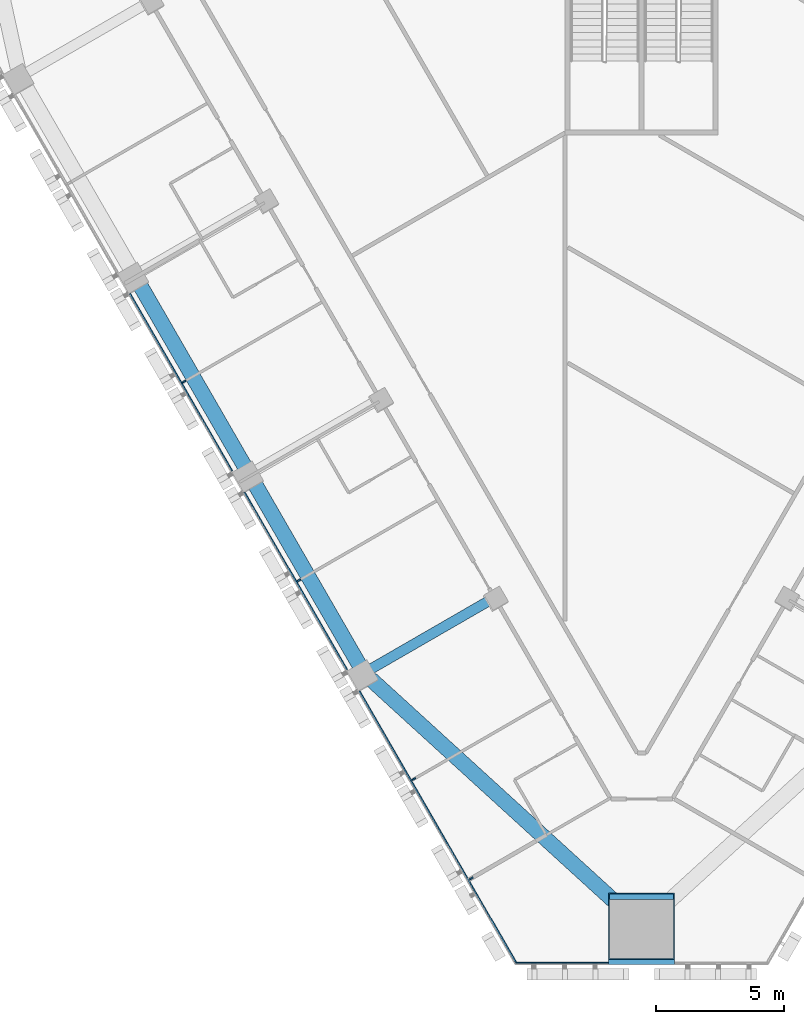
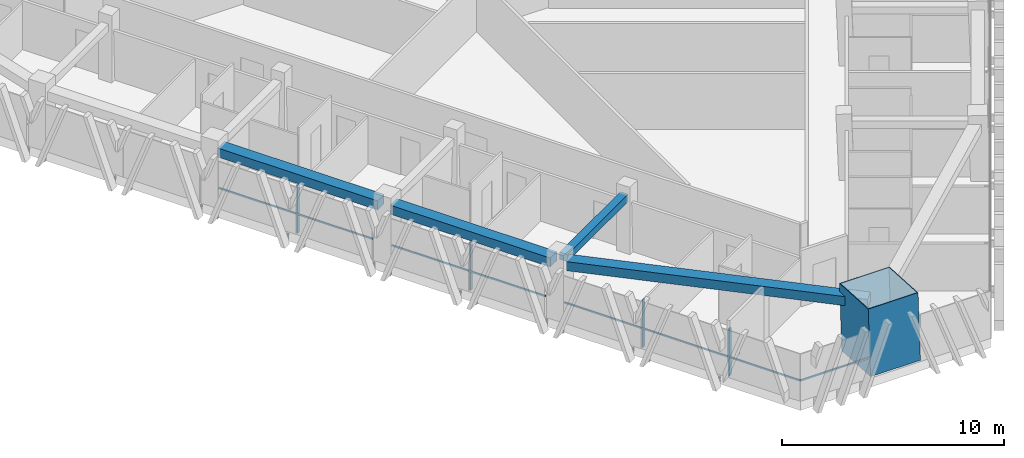
# One storey, part 2 of 17: 9 members, 4 beams, 2 elements without a shape of their own.
"""IFC4 building model written with IfcOpenShell, lengths in metres."""

from ifc_helpers import new_model, si_unit, direction, frame, origin, origin_2d, place, context, subcontext, project, spatial, rectangle, hollow_rectangle, extrude, material, layer, layer_set, material_profile, profile_set, type_object, element, aggregate, save


model = new_model("IFC4")

# Units and contexts
model_context = context("Model", 3, precision=1e-05, world=origin(), true_north=direction((0.0, 1.0)))
body_context = subcontext(model_context, "Body", "Model", "MODEL_VIEW")
ifc_project = project(units=[si_unit("LENGTHUNIT", "METRE"), si_unit("AREAUNIT", "SQUARE_METRE"), si_unit("VOLUMEUNIT", "CUBIC_METRE"), si_unit("PLANEANGLEUNIT", "RADIAN"), si_unit("MASSUNIT", "GRAM", prefix="KILO")], contexts=[model_context])

# Site, building, storey
site_placement = place(None, origin())
site = spatial("IfcSite", under=ifc_project, at=site_placement, CompositionType="ELEMENT")
building_placement = place(site_placement, origin())
building = spatial("IfcBuilding", under=site, at=building_placement, Name="Altiplano Prism Tower", CompositionType="ELEMENT")
storey_placement = place(building_placement, frame((0.0, 0.0, 30.60009765625)))
storey = spatial("IfcBuildingStorey", under=building, at=storey_placement, Name="L06", CompositionType="ELEMENT", Elevation=30.60009765625)

# Curtain wall, members
ifc_material_1 = material(Name="Aluminium and glass", Category="aluminium")
ifc_layer = layer(ifc_material_1, 0.280029296875)
ifc_layer_set = layer_set([ifc_layer], Name="Aluminium and glass")
curtain_wall_type = type_object("IfcCurtainWallType", Name="CW1 typical co-living unitised curtain wall", PredefinedType="NOTDEFINED", material=ifc_layer_set)
curtain_wall_1_placement = place(storey_placement, origin())
curtain_wall_1 = element("IfcCurtainWall", 1, at=curtain_wall_1_placement, inside=storey, type_object=curtain_wall_type, Name="CW1 curtain wall south-west face L06", PredefinedType="NOTDEFINED")
ifc_material_2 = material(Name="Aluminium", Category="aluminium")
ifc_material_profile_1 = material_profile(ifc_material_2, rectangle(XDim=0.179931640625, YDim=0.06494140625, at=origin_2d()), Name="CW1 mullion 65 x 180")
ifc_profile_set_1 = profile_set([ifc_material_profile_1], Name="Aluminium")
member_type_1 = type_object("IfcMemberType", Name="CW1 mullion 65 x 180", PredefinedType="MULLION", material=ifc_profile_set_1)
member_1_placement = place(storey_placement, frame((67.05810546875, 73.733642578125, 0.0), z_axis=(0.0, 0.0, 1.0), x_axis=(0.866025402886, 0.500000001557, 0.0)))
member_1 = element("IfcMember", 2, at=member_1_placement, type_object=member_type_1, Name="CW1 mullion", PredefinedType="MULLION", context=body_context, shape_type="SweptSolid", body=[
    extrude(rectangle(XDim=0.179931640625, YDim=0.06494140625, at=origin_2d()), origin(), (0.0, 0.0, 1.0), 2.599853515625),
])
member_2_placement = place(storey_placement, frame((71.55810546875, 65.939208984375, 0.0), z_axis=(0.0, 0.0, 1.0), x_axis=(0.866025402886, 0.500000001557, 0.0)))
member_2 = element("IfcMember", 3, at=member_2_placement, type_object=member_type_1, Name="CW1 mullion", PredefinedType="MULLION", context=body_context, shape_type="SweptSolid", body=[
    extrude(rectangle(XDim=0.179931640625, YDim=0.06494140625, at=origin_2d()), origin(), (0.0, 0.0, 1.0), 2.599853515625),
])
member_3_placement = place(storey_placement, frame((76.05810546875, 58.14501953125, 0.0), z_axis=(0.0, 0.0, 1.0), x_axis=(0.866025402886, 0.500000001557, 0.0)))
member_3 = element("IfcMember", 4, at=member_3_placement, type_object=member_type_1, Name="CW1 mullion", PredefinedType="MULLION", context=body_context, shape_type="SweptSolid", body=[
    extrude(rectangle(XDim=0.179931640625, YDim=0.06494140625, at=origin_2d()), origin(), (0.0, 0.0, 1.0), 2.599853515625),
])
member_4_placement = place(storey_placement, frame((78.30810546875, 54.248046875, 0.0), z_axis=(0.0, 0.0, 1.0), x_axis=(0.866025402886, 0.500000001557, 0.0)))
member_4 = element("IfcMember", 5, at=member_4_placement, type_object=member_type_1, Name="CW1 mullion", PredefinedType="MULLION", context=body_context, shape_type="SweptSolid", body=[
    extrude(rectangle(XDim=0.179931640625, YDim=0.06494140625, at=origin_2d()), origin(), (0.0, 0.0, 1.0), 2.599853515625),
])
ifc_material_profile_2 = material_profile(ifc_material_2, rectangle(XDim=0.06005859375, YDim=0.080078125, at=origin_2d()), Name="CW1 transom 80 x 60")
ifc_profile_set_2 = profile_set([ifc_material_profile_2], Name="Aluminium")
member_type_2 = type_object("IfcMemberType", Name="CW1 transom 80 x 60", PredefinedType="USERDEFINED", material=ifc_profile_set_2)
member_5_placement = place(storey_placement, frame((64.929443359375, 77.180419921875, 1.099853515625), z_axis=(0.499999136801, -0.866025902152, 0.0), x_axis=(0.866025902152, 0.499999136801, 0.0)))
member_5 = element("IfcMember", 6, at=member_5_placement, type_object=member_type_2, Name="CW1 transom", ObjectType="TRANSOM", PredefinedType="USERDEFINED", context=body_context, shape_type="SweptSolid", body=[
    extrude(rectangle(XDim=0.06005859375, YDim=0.080078125, at=origin_2d()), origin(), (0.0, 0.0, 1.0), 8.02001953125),
])
member_6_placement = place(storey_placement, frame((69.429443359375, 69.38623046875, 1.099853515625), z_axis=(0.499999136801, -0.866025902152, 0.0), x_axis=(0.866025902152, 0.499999136801, 0.0)))
member_6 = element("IfcMember", 7, at=member_6_placement, type_object=member_type_2, Name="CW1 transom", ObjectType="TRANSOM", PredefinedType="USERDEFINED", context=body_context, shape_type="SweptSolid", body=[
    extrude(rectangle(XDim=0.06005859375, YDim=0.080078125, at=origin_2d()), origin(), (0.0, 0.0, 1.0), 8.02001953125),
])
member_7_placement = place(storey_placement, frame((73.929443359375, 61.591796875, 1.099853515625), z_axis=(0.500005619897, -0.866022159111, 0.0), x_axis=(0.866022159111, 0.500005619897, 0.0)))
member_7 = element("IfcMember", 8, at=member_7_placement, type_object=member_type_2, Name="CW1 transom", ObjectType="TRANSOM", PredefinedType="USERDEFINED", context=body_context, shape_type="SweptSolid", body=[
    extrude(rectangle(XDim=0.06005859375, YDim=0.080078125, at=origin_2d()), origin(), (0.0, 0.0, 1.0), 12.339111328125),
])
aggregate(curtain_wall_1, [member_1, member_5, member_2, member_6, member_3, member_4, member_7])

# Curtain wall, member
curtain_wall_2_placement = place(storey_placement, origin())
curtain_wall_2 = element("IfcCurtainWall", 9, at=curtain_wall_2_placement, inside=storey, type_object=curtain_wall_type, Name="CW1 curtain wall south chamfer L06", PredefinedType="NOTDEFINED")
member_8_placement = place(storey_placement, frame((80.03857421875, 50.940673828125, 1.099853515625), z_axis=(1.0, 0.0, 0.0), x_axis=(0.0, 1.0, 0.0)))
member_8 = element("IfcMember", 10, at=member_8_placement, type_object=member_type_2, Name="CW1 transom", ObjectType="TRANSOM", PredefinedType="USERDEFINED", context=body_context, shape_type="SweptSolid", body=[
    extrude(rectangle(XDim=0.06005859375, YDim=0.080078125, at=origin_2d()), origin(), (0.0, 0.0, 1.0), 3.661376953125),
])
aggregate(curtain_wall_2, [member_8])

# Beams
ifc_material_3 = material(Name="Concrete C60/75", Category="concrete")
ifc_material_profile_3 = material_profile(ifc_material_3, rectangle(XDim=0.60009765625, YDim=0.5, at=origin_2d()), Name="Edge beam 600x500")
ifc_profile_set_3 = profile_set([ifc_material_profile_3], Name="Concrete C60/75")
beam_type_1 = type_object("IfcBeamType", Name="Edge beam 600x500", PredefinedType="SPANDREL", material=ifc_profile_set_3)
for number, where, z_axis, x_axis, name in (
    (11, (65.278076171875, 77.613525390625, 2.849853515625), (0.500014701701, -0.866016915587, 0.0), (0.866016915587, 0.500014701701, 0.0), "Edge beam P12-P13 L07"),
    (12, (69.778076171875, 69.819091796875, 2.849853515625), (0.500014701701, -0.866016915587, 0.0), (0.866016915587, 0.500014701701, 0.0), "Edge beam P13-P14 L07"),
):
    element("IfcBeam", number, at=place(storey_placement, frame(where, z_axis=z_axis, x_axis=x_axis)), inside=storey, type_object=beam_type_1, Name=name, PredefinedType="SPANDREL", context=body_context, shape_type="SweptSolid", body=[
        extrude(rectangle(XDim=0.60009765625, YDim=0.5, at=origin_2d()), origin(), (0.0, 0.0, 1.0), 8.340087890625),
    ])
beam_1_placement = place(storey_placement, frame((74.373291015625, 62.073486328125, 2.849853515625), z_axis=(0.738838571479, -0.673882456586, 0.0), x_axis=(0.673882456586, 0.738838571479, 0.0)))
element("IfcBeam", 13, at=beam_1_placement, inside=storey, type_object=beam_type_1, Name="Edge beam P14-M1 L07", PredefinedType="SPANDREL", context=body_context, shape_type="SweptSolid", body=[
    extrude(rectangle(XDim=0.60009765625, YDim=0.5, at=origin_2d()), origin(), (0.0, 0.0, 1.0), 13.932861328125),
])

# Member
ifc_material_4 = material(Name="Steel S460", Category="steel")
ifc_material_profile_4 = material_profile(ifc_material_4, hollow_rectangle(XDim=2.60009765625, YDim=2.60009765625, WallThickness=0.0400390625, at=origin_2d()), Name="Mega column tube 2600")
ifc_profile_set_4 = profile_set([ifc_material_profile_4], Name="Steel S460")
member_type_3 = type_object("IfcMemberType", Name="Mega column tube 2600", PredefinedType="POST", material=ifc_profile_set_4)
member_9_placement = place(storey_placement, frame((85.0, 52.170654296875, 0.0), z_axis=(0.0, 0.058360852261, 0.998295552892), x_axis=(-1.0, 0.0, 0.0)))
element("IfcMember", 14, at=member_9_placement, inside=storey, type_object=member_type_3, Name="Mega column tube M1 L06", PredefinedType="POST", context=body_context, shape_type="SweptSolid", body=[
    extrude(hollow_rectangle(XDim=2.60009765625, YDim=2.60009765625, WallThickness=0.0400390625, at=origin_2d()), origin(), (0.0, 0.0, 1.0), 3.60595703125),
])

# Beam
ifc_material_profile_5 = material_profile(ifc_material_3, rectangle(XDim=0.39990234375, YDim=0.39990234375, at=origin_2d()), Name="Tie beam 400x400")
ifc_profile_set_5 = profile_set([ifc_material_profile_5], Name="Concrete C60/75")
beam_type_2 = type_object("IfcBeamType", Name="Tie beam 400x400", PredefinedType="BEAM", material=ifc_profile_set_5)
beam_2_placement = place(storey_placement, frame((79.1533203125, 65.220703125, 2.89990234375), z_axis=(-0.866031549307, -0.499989355492, 0.0), x_axis=(0.499989355492, -0.866031549307, 0.0)))
element("IfcBeam", 15, at=beam_2_placement, inside=storey, type_object=beam_type_2, Name="Tie beam I14 L07", PredefinedType="BEAM", context=body_context, shape_type="SweptSolid", body=[
    extrude(rectangle(XDim=0.39990234375, YDim=0.39990234375, at=origin_2d()), origin(), (0.0, 0.0, 1.0), 5.48974609375),
])

save(model, "model.ifc")
